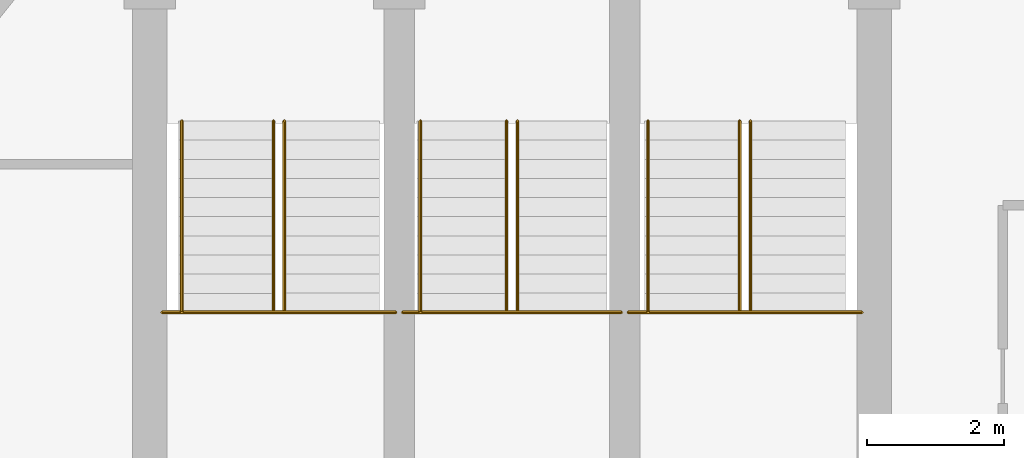
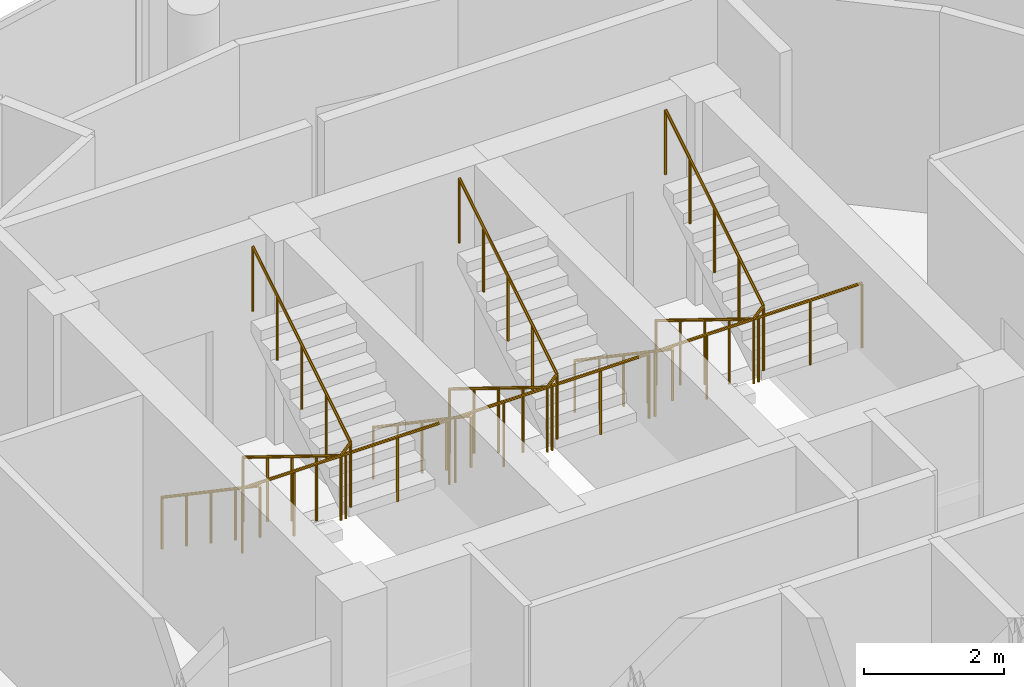
# One storey, part 24 of 24: 9 railings.
"""IFC4 building model written with IfcOpenShell, lengths in metres."""

from ifc_helpers import new_model, si_unit, direction, frame, origin, place, context, subcontext, project, spatial, polyline, outline, extrude, material, type_object, element, save


model = new_model("IFC4")

# Units and contexts
model_context = context("Model", 3, precision=1e-05, world=origin(), true_north=direction((0.0, 1.0)))
body_context = subcontext(model_context, "Body", "Model", "MODEL_VIEW")
ifc_project = project(units=[si_unit("LENGTHUNIT", "METRE"), si_unit("AREAUNIT", "SQUARE_METRE"), si_unit("VOLUMEUNIT", "CUBIC_METRE"), si_unit("PLANEANGLEUNIT", "RADIAN"), si_unit("MASSUNIT", "GRAM", prefix="KILO")], contexts=[model_context])

# Site, building, storey
site_placement = place(None, origin())
site = spatial("IfcSite", under=ifc_project, at=site_placement, CompositionType="ELEMENT")
building_placement = place(site_placement, origin())
building = spatial("IfcBuilding", under=site, at=building_placement, Name="Nuhasar Tower", CompositionType="ELEMENT")
storey_placement = place(building_placement, frame((0.0, 0.0, 282.199951171875)))
storey = spatial("IfcBuildingStorey", under=building, at=storey_placement, Name="L70", CompositionType="ELEMENT", Elevation=282.199951171875)

# Railings
ifc_material_1 = material(Name="Steel S355", Category="steel")
railing_type_1 = type_object("IfcRailingType", Name="RLG-STAIR-GUARD-1150", PredefinedType="GUARDRAIL", material=ifc_material_1)
railing_1_placement = place(storey_placement, frame((33.8798828125, 32.485107421875, 1.900146484375)))
element("IfcRailing", 1, at=railing_1_placement, inside=storey, type_object=railing_type_1, Name="L70 Stair ST-01 Guardrail LND", PredefinedType="GUARDRAIL", context=body_context, shape_type="SweptSolid", body=[
    extrude(outline(polyline([(0.024169921875, 0.0), (0.01708984375, 0.01708984375), (0.0, 0.024169921875), (-0.01708984375, 0.01708984375), (-0.024169921875, 0.0), (-0.01708984375, -0.01708984375), (0.0, -0.024169921875), (0.01708984375, -0.01708984375), (0.024169921875, 0.0)])), frame((0.0, 0.0, 1.1259765625), z_axis=(1.0, 0.0, 0.0), x_axis=(0.0, 1.0, 0.0)), (0.0, 0.0, 1.0), 3.420166015625),
    extrude(outline(polyline([(0.02099609375, 0.0), (0.014892578125, 0.014892578125), (0.0, 0.02099609375), (-0.014892578125, 0.014892578125), (-0.02099609375, 0.0), (-0.014892578125, -0.014892578125), (0.0, -0.02099609375), (0.014892578125, -0.014892578125), (0.02099609375, 0.0)])), origin(), (0.0, 0.0, 1.0), 1.101806640625),
    extrude(outline(polyline([(0.02099609375, 0.0), (0.014892578125, 0.014892578125), (0.0, 0.02099609375), (-0.014892578125, 0.014892578125), (-0.02099609375, 0.0), (-0.014892578125, -0.014892578125), (0.0, -0.02099609375), (0.014892578125, -0.014892578125), (0.02099609375, 0.0)])), frame((0.85498046875, 0.0, 0.0)), (0.0, 0.0, 1.0), 1.101806640625),
    extrude(outline(polyline([(0.02099609375, 0.0), (0.014892578125, 0.014892578125), (0.0, 0.02099609375), (-0.014892578125, 0.014892578125), (-0.02099609375, 0.0), (-0.014892578125, -0.014892578125), (0.0, -0.02099609375), (0.014892578125, -0.014892578125), (0.02099609375, 0.0)])), frame((1.7099609375, 0.0, 0.0)), (0.0, 0.0, 1.0), 1.101806640625),
    extrude(outline(polyline([(0.02099609375, 0.0), (0.014892578125, 0.014892578125), (0.0, 0.02099609375), (-0.014892578125, 0.014892578125), (-0.02099609375, 0.0), (-0.014892578125, -0.014892578125), (0.0, -0.02099609375), (0.014892578125, -0.014892578125), (0.02099609375, 0.0)])), frame((2.565185546875, 0.0, 0.0)), (0.0, 0.0, 1.0), 1.101806640625),
    extrude(outline(polyline([(0.02099609375, 0.0), (0.014892578125, 0.014892578125), (0.0, 0.02099609375), (-0.014892578125, 0.014892578125), (-0.02099609375, 0.0), (-0.014892578125, -0.014892578125), (0.0, -0.02099609375), (0.014892578125, -0.014892578125), (0.02099609375, 0.0)])), frame((3.420166015625, 0.0, 0.0)), (0.0, 0.0, 1.0), 1.101806640625),
])
railing_2_placement = place(storey_placement, frame((35.510009765625, 35.284912109375, 0.173095703125)))
element("IfcRailing", 2, at=railing_2_placement, inside=storey, type_object=railing_type_1, Name="L70 Stair ST-01 Guardrail SLT", PredefinedType="GUARDRAIL", context=body_context, shape_type="SweptSolid", body=[
    extrude(outline(polyline([(0.024169921875, 0.0), (0.01708984375, 0.01708984375), (0.0, 0.024169921875), (-0.01708984375, 0.01708984375), (-0.024169921875, 0.0), (-0.01708984375, -0.01708984375), (0.0, -0.024169921875), (0.01708984375, -0.01708984375), (0.024169921875, 0.0)])), frame((0.0, 0.0, 1.1259765625), z_axis=(0.0, -0.851102337555, 0.524999820009), x_axis=(1.0, 0.0, 0.0)), (0.0, 0.0, 1.0), 3.28955078125),
    extrude(outline(polyline([(0.024169921875, 0.0), (0.01708984375, 0.01708984375), (0.0, 0.024169921875), (-0.01708984375, 0.01708984375), (-0.024169921875, 0.0), (-0.01708984375, -0.01708984375), (0.0, -0.024169921875), (0.01708984375, -0.01708984375), (0.024169921875, 0.0)])), frame((0.0, -2.7998046875, 2.85302734375), z_axis=(0.679097852503, 0.0, 0.734047755072), x_axis=(0.0, 1.0, 0.0)), (0.0, 0.0, 1.0), 0.235595703125),
    extrude(outline(polyline([(0.024169921875, 0.0), (0.01708984375, 0.01708984375), (0.0, 0.024169921875), (-0.01708984375, 0.01708984375), (-0.024169921875, 0.0), (-0.01708984375, -0.01708984375), (0.0, -0.024169921875), (0.01708984375, -0.01708984375), (0.024169921875, 0.0)])), frame((0.159912109375, -2.7998046875, 3.02587890625), z_axis=(0.0, 0.851102337555, 0.524999820009), x_axis=(-1.0, 0.0, 0.0)), (0.0, 0.0, 1.0), 3.28955078125),
    extrude(outline(polyline([(0.02099609375, 0.0), (0.014892578125, 0.014892578125), (0.0, 0.02099609375), (-0.014892578125, 0.014892578125), (-0.02099609375, 0.0), (-0.014892578125, -0.014892578125), (0.0, -0.02099609375), (0.014892578125, -0.014892578125), (0.02099609375, 0.0)])), origin(), (0.0, 0.0, 1.0), 1.101806640625),
    extrude(outline(polyline([(0.02099609375, 0.0), (0.014892578125, 0.014892578125), (0.0, 0.02099609375), (-0.014892578125, 0.014892578125), (-0.02099609375, 0.0), (-0.014892578125, -0.014892578125), (0.0, -0.02099609375), (0.014892578125, -0.014892578125), (0.02099609375, 0.0)])), frame((0.0, -0.699951171875, 0.431640625)), (0.0, 0.0, 1.0), 1.101806640625),
    extrude(outline(polyline([(0.02099609375, 0.0), (0.014892578125, 0.014892578125), (0.0, 0.02099609375), (-0.014892578125, 0.014892578125), (-0.02099609375, 0.0), (-0.014892578125, -0.014892578125), (0.0, -0.02099609375), (0.014892578125, -0.014892578125), (0.02099609375, 0.0)])), frame((0.0, -1.39990234375, 0.863525390625)), (0.0, 0.0, 1.0), 1.101806640625),
    extrude(outline(polyline([(0.02099609375, 0.0), (0.014892578125, 0.014892578125), (0.0, 0.02099609375), (-0.014892578125, 0.014892578125), (-0.02099609375, 0.0), (-0.014892578125, -0.014892578125), (0.0, -0.02099609375), (0.014892578125, -0.014892578125), (0.02099609375, 0.0)])), frame((0.0, -2.099853515625, 1.29541015625)), (0.0, 0.0, 1.0), 1.101806640625),
    extrude(outline(polyline([(0.02099609375, 0.0), (0.014892578125, 0.014892578125), (0.0, 0.02099609375), (-0.014892578125, 0.014892578125), (-0.02099609375, 0.0), (-0.014892578125, -0.014892578125), (0.0, -0.02099609375), (0.014892578125, -0.014892578125), (0.02099609375, 0.0)])), frame((0.0, -2.7998046875, 1.72705078125)), (0.0, 0.0, 1.0), 1.101806640625),
    extrude(outline(polyline([(0.02099609375, 0.0), (0.014892578125, 0.014892578125), (0.0, 0.02099609375), (-0.014892578125, 0.014892578125), (-0.02099609375, 0.0), (-0.014892578125, -0.014892578125), (0.0, -0.02099609375), (0.014892578125, -0.014892578125), (0.02099609375, 0.0)])), frame((0.159912109375, -2.7998046875, 1.89990234375)), (0.0, 0.0, 1.0), 1.101806640625),
    extrude(outline(polyline([(0.02099609375, 0.0), (0.014892578125, 0.014892578125), (0.0, 0.02099609375), (-0.014892578125, 0.014892578125), (-0.02099609375, 0.0), (-0.014892578125, -0.014892578125), (0.0, -0.02099609375), (0.014892578125, -0.014892578125), (0.02099609375, 0.0)])), frame((0.159912109375, -2.099853515625, 2.33154296875)), (0.0, 0.0, 1.0), 1.101806640625),
    extrude(outline(polyline([(0.02099609375, 0.0), (0.014892578125, 0.014892578125), (0.0, 0.02099609375), (-0.014892578125, 0.014892578125), (-0.02099609375, 0.0), (-0.014892578125, -0.014892578125), (0.0, -0.02099609375), (0.014892578125, -0.014892578125), (0.02099609375, 0.0)])), frame((0.159912109375, -1.39990234375, 2.763427734375)), (0.0, 0.0, 1.0), 1.101806640625),
    extrude(outline(polyline([(0.02099609375, 0.0), (0.014892578125, 0.014892578125), (0.0, 0.02099609375), (-0.014892578125, 0.014892578125), (-0.02099609375, 0.0), (-0.014892578125, -0.014892578125), (0.0, -0.02099609375), (0.014892578125, -0.014892578125), (0.02099609375, 0.0)])), frame((0.159912109375, -0.699951171875, 3.1953125)), (0.0, 0.0, 1.0), 1.101806640625),
    extrude(outline(polyline([(0.02099609375, 0.0), (0.014892578125, 0.014892578125), (0.0, 0.02099609375), (-0.014892578125, 0.014892578125), (-0.02099609375, 0.0), (-0.014892578125, -0.014892578125), (0.0, -0.02099609375), (0.014892578125, -0.014892578125), (0.02099609375, 0.0)])), frame((0.159912109375, 0.0, 3.626953125)), (0.0, 0.0, 1.0), 1.101806640625),
])
railing_3_placement = place(storey_placement, frame((37.39990234375, 32.485107421875, 1.900146484375)))
element("IfcRailing", 3, at=railing_3_placement, inside=storey, type_object=railing_type_1, Name="L70 Stair ST-03 Guardrail LND", PredefinedType="GUARDRAIL", context=body_context, shape_type="SweptSolid", body=[
    extrude(outline(polyline([(0.024169921875, 0.0), (0.01708984375, 0.01708984375), (0.0, 0.024169921875), (-0.01708984375, 0.01708984375), (-0.024169921875, 0.0), (-0.01708984375, -0.01708984375), (0.0, -0.024169921875), (0.01708984375, -0.01708984375), (0.024169921875, 0.0)])), frame((0.0, 0.0, 1.1259765625), z_axis=(1.0, 0.0, 0.0), x_axis=(0.0, 1.0, 0.0)), (0.0, 0.0, 1.0), 3.2001953125),
    extrude(outline(polyline([(0.02099609375, 0.0), (0.014892578125, 0.014892578125), (0.0, 0.02099609375), (-0.014892578125, 0.014892578125), (-0.02099609375, 0.0), (-0.014892578125, -0.014892578125), (0.0, -0.02099609375), (0.014892578125, -0.014892578125), (0.02099609375, 0.0)])), origin(), (0.0, 0.0, 1.0), 1.101806640625),
    extrude(outline(polyline([(0.02099609375, 0.0), (0.014892578125, 0.014892578125), (0.0, 0.02099609375), (-0.014892578125, 0.014892578125), (-0.02099609375, 0.0), (-0.014892578125, -0.014892578125), (0.0, -0.02099609375), (0.014892578125, -0.014892578125), (0.02099609375, 0.0)])), frame((0.800048828125, 0.0, 0.0)), (0.0, 0.0, 1.0), 1.101806640625),
    extrude(outline(polyline([(0.02099609375, 0.0), (0.014892578125, 0.014892578125), (0.0, 0.02099609375), (-0.014892578125, 0.014892578125), (-0.02099609375, 0.0), (-0.014892578125, -0.014892578125), (0.0, -0.02099609375), (0.014892578125, -0.014892578125), (0.02099609375, 0.0)])), frame((1.60009765625, 0.0, 0.0)), (0.0, 0.0, 1.0), 1.101806640625),
    extrude(outline(polyline([(0.02099609375, 0.0), (0.014892578125, 0.014892578125), (0.0, 0.02099609375), (-0.014892578125, 0.014892578125), (-0.02099609375, 0.0), (-0.014892578125, -0.014892578125), (0.0, -0.02099609375), (0.014892578125, -0.014892578125), (0.02099609375, 0.0)])), frame((2.400146484375, 0.0, 0.0)), (0.0, 0.0, 1.0), 1.101806640625),
    extrude(outline(polyline([(0.02099609375, 0.0), (0.014892578125, 0.014892578125), (0.0, 0.02099609375), (-0.014892578125, 0.014892578125), (-0.02099609375, 0.0), (-0.014892578125, -0.014892578125), (0.0, -0.02099609375), (0.014892578125, -0.014892578125), (0.02099609375, 0.0)])), frame((3.2001953125, 0.0, 0.0)), (0.0, 0.0, 1.0), 1.101806640625),
])
railing_4_placement = place(storey_placement, frame((38.919921875, 35.284912109375, 0.173095703125)))
element("IfcRailing", 4, at=railing_4_placement, inside=storey, type_object=railing_type_1, Name="L70 Stair ST-03 Guardrail SLT", PredefinedType="GUARDRAIL", context=body_context, shape_type="SweptSolid", body=[
    extrude(outline(polyline([(0.024169921875, 0.0), (0.01708984375, 0.01708984375), (0.0, 0.024169921875), (-0.01708984375, 0.01708984375), (-0.024169921875, 0.0), (-0.01708984375, -0.01708984375), (0.0, -0.024169921875), (0.01708984375, -0.01708984375), (0.024169921875, 0.0)])), frame((0.0, 0.0, 1.1259765625), z_axis=(0.0, -0.851102337555, 0.524999820009), x_axis=(1.0, 0.0, 0.0)), (0.0, 0.0, 1.0), 3.28955078125),
    extrude(outline(polyline([(0.024169921875, 0.0), (0.01708984375, 0.01708984375), (0.0, 0.024169921875), (-0.01708984375, 0.01708984375), (-0.024169921875, 0.0), (-0.01708984375, -0.01708984375), (0.0, -0.024169921875), (0.01708984375, -0.01708984375), (0.024169921875, 0.0)])), frame((0.0, -2.7998046875, 2.85302734375), z_axis=(0.679655912742, 0.0, 0.733531076557), x_axis=(0.0, 1.0, 0.0)), (0.0, 0.0, 1.0), 0.235595703125),
    extrude(outline(polyline([(0.024169921875, 0.0), (0.01708984375, 0.01708984375), (0.0, 0.024169921875), (-0.01708984375, 0.01708984375), (-0.024169921875, 0.0), (-0.01708984375, -0.01708984375), (0.0, -0.024169921875), (0.01708984375, -0.01708984375), (0.024169921875, 0.0)])), frame((0.16015625, -2.7998046875, 3.02587890625), z_axis=(0.0, 0.851102337555, 0.524999820009), x_axis=(-1.0, 0.0, 0.0)), (0.0, 0.0, 1.0), 3.28955078125),
    extrude(outline(polyline([(0.02099609375, 0.0), (0.014892578125, 0.014892578125), (0.0, 0.02099609375), (-0.014892578125, 0.014892578125), (-0.02099609375, 0.0), (-0.014892578125, -0.014892578125), (0.0, -0.02099609375), (0.014892578125, -0.014892578125), (0.02099609375, 0.0)])), origin(), (0.0, 0.0, 1.0), 1.101806640625),
    extrude(outline(polyline([(0.02099609375, 0.0), (0.014892578125, 0.014892578125), (0.0, 0.02099609375), (-0.014892578125, 0.014892578125), (-0.02099609375, 0.0), (-0.014892578125, -0.014892578125), (0.0, -0.02099609375), (0.014892578125, -0.014892578125), (0.02099609375, 0.0)])), frame((0.0, -0.699951171875, 0.431640625)), (0.0, 0.0, 1.0), 1.101806640625),
    extrude(outline(polyline([(0.02099609375, 0.0), (0.014892578125, 0.014892578125), (0.0, 0.02099609375), (-0.014892578125, 0.014892578125), (-0.02099609375, 0.0), (-0.014892578125, -0.014892578125), (0.0, -0.02099609375), (0.014892578125, -0.014892578125), (0.02099609375, 0.0)])), frame((0.0, -1.39990234375, 0.863525390625)), (0.0, 0.0, 1.0), 1.101806640625),
    extrude(outline(polyline([(0.02099609375, 0.0), (0.014892578125, 0.014892578125), (0.0, 0.02099609375), (-0.014892578125, 0.014892578125), (-0.02099609375, 0.0), (-0.014892578125, -0.014892578125), (0.0, -0.02099609375), (0.014892578125, -0.014892578125), (0.02099609375, 0.0)])), frame((0.0, -2.099853515625, 1.29541015625)), (0.0, 0.0, 1.0), 1.101806640625),
    extrude(outline(polyline([(0.02099609375, 0.0), (0.014892578125, 0.014892578125), (0.0, 0.02099609375), (-0.014892578125, 0.014892578125), (-0.02099609375, 0.0), (-0.014892578125, -0.014892578125), (0.0, -0.02099609375), (0.014892578125, -0.014892578125), (0.02099609375, 0.0)])), frame((0.0, -2.7998046875, 1.72705078125)), (0.0, 0.0, 1.0), 1.101806640625),
    extrude(outline(polyline([(0.02099609375, 0.0), (0.014892578125, 0.014892578125), (0.0, 0.02099609375), (-0.014892578125, 0.014892578125), (-0.02099609375, 0.0), (-0.014892578125, -0.014892578125), (0.0, -0.02099609375), (0.014892578125, -0.014892578125), (0.02099609375, 0.0)])), frame((0.16015625, -2.7998046875, 1.89990234375)), (0.0, 0.0, 1.0), 1.101806640625),
    extrude(outline(polyline([(0.02099609375, 0.0), (0.014892578125, 0.014892578125), (0.0, 0.02099609375), (-0.014892578125, 0.014892578125), (-0.02099609375, 0.0), (-0.014892578125, -0.014892578125), (0.0, -0.02099609375), (0.014892578125, -0.014892578125), (0.02099609375, 0.0)])), frame((0.16015625, -2.099853515625, 2.33154296875)), (0.0, 0.0, 1.0), 1.101806640625),
    extrude(outline(polyline([(0.02099609375, 0.0), (0.014892578125, 0.014892578125), (0.0, 0.02099609375), (-0.014892578125, 0.014892578125), (-0.02099609375, 0.0), (-0.014892578125, -0.014892578125), (0.0, -0.02099609375), (0.014892578125, -0.014892578125), (0.02099609375, 0.0)])), frame((0.16015625, -1.39990234375, 2.763427734375)), (0.0, 0.0, 1.0), 1.101806640625),
    extrude(outline(polyline([(0.02099609375, 0.0), (0.014892578125, 0.014892578125), (0.0, 0.02099609375), (-0.014892578125, 0.014892578125), (-0.02099609375, 0.0), (-0.014892578125, -0.014892578125), (0.0, -0.02099609375), (0.014892578125, -0.014892578125), (0.02099609375, 0.0)])), frame((0.16015625, -0.699951171875, 3.1953125)), (0.0, 0.0, 1.0), 1.101806640625),
    extrude(outline(polyline([(0.02099609375, 0.0), (0.014892578125, 0.014892578125), (0.0, 0.02099609375), (-0.014892578125, 0.014892578125), (-0.02099609375, 0.0), (-0.014892578125, -0.014892578125), (0.0, -0.02099609375), (0.014892578125, -0.014892578125), (0.02099609375, 0.0)])), frame((0.16015625, 0.0, 3.626953125)), (0.0, 0.0, 1.0), 1.101806640625),
])
railing_5_placement = place(storey_placement, frame((40.699951171875, 32.485107421875, 1.900146484375)))
element("IfcRailing", 5, at=railing_5_placement, inside=storey, type_object=railing_type_1, Name="L70 Stair ST-02 Guardrail LND", PredefinedType="GUARDRAIL", context=body_context, shape_type="SweptSolid", body=[
    extrude(outline(polyline([(0.024169921875, 0.0), (0.01708984375, 0.01708984375), (0.0, 0.024169921875), (-0.01708984375, 0.01708984375), (-0.024169921875, 0.0), (-0.01708984375, -0.01708984375), (0.0, -0.024169921875), (0.01708984375, -0.01708984375), (0.024169921875, 0.0)])), frame((0.0, 0.0, 1.1259765625), z_axis=(1.0, 0.0, 0.0), x_axis=(0.0, 1.0, 0.0)), (0.0, 0.0, 1.0), 3.420166015625),
    extrude(outline(polyline([(0.02099609375, 0.0), (0.014892578125, 0.014892578125), (0.0, 0.02099609375), (-0.014892578125, 0.014892578125), (-0.02099609375, 0.0), (-0.014892578125, -0.014892578125), (0.0, -0.02099609375), (0.014892578125, -0.014892578125), (0.02099609375, 0.0)])), origin(), (0.0, 0.0, 1.0), 1.101806640625),
    extrude(outline(polyline([(0.02099609375, 0.0), (0.014892578125, 0.014892578125), (0.0, 0.02099609375), (-0.014892578125, 0.014892578125), (-0.02099609375, 0.0), (-0.014892578125, -0.014892578125), (0.0, -0.02099609375), (0.014892578125, -0.014892578125), (0.02099609375, 0.0)])), frame((0.85498046875, 0.0, 0.0)), (0.0, 0.0, 1.0), 1.101806640625),
    extrude(outline(polyline([(0.02099609375, 0.0), (0.014892578125, 0.014892578125), (0.0, 0.02099609375), (-0.014892578125, 0.014892578125), (-0.02099609375, 0.0), (-0.014892578125, -0.014892578125), (0.0, -0.02099609375), (0.014892578125, -0.014892578125), (0.02099609375, 0.0)])), frame((1.7099609375, 0.0, 0.0)), (0.0, 0.0, 1.0), 1.101806640625),
    extrude(outline(polyline([(0.02099609375, 0.0), (0.014892578125, 0.014892578125), (0.0, 0.02099609375), (-0.014892578125, 0.014892578125), (-0.02099609375, 0.0), (-0.014892578125, -0.014892578125), (0.0, -0.02099609375), (0.014892578125, -0.014892578125), (0.02099609375, 0.0)])), frame((2.565185546875, 0.0, 0.0)), (0.0, 0.0, 1.0), 1.101806640625),
    extrude(outline(polyline([(0.02099609375, 0.0), (0.014892578125, 0.014892578125), (0.0, 0.02099609375), (-0.014892578125, 0.014892578125), (-0.02099609375, 0.0), (-0.014892578125, -0.014892578125), (0.0, -0.02099609375), (0.014892578125, -0.014892578125), (0.02099609375, 0.0)])), frame((3.420166015625, 0.0, 0.0)), (0.0, 0.0, 1.0), 1.101806640625),
])
railing_6_placement = place(storey_placement, frame((42.330078125, 35.284912109375, 0.173095703125)))
element("IfcRailing", 6, at=railing_6_placement, inside=storey, type_object=railing_type_1, Name="L70 Stair ST-02 Guardrail SLT", PredefinedType="GUARDRAIL", context=body_context, shape_type="SweptSolid", body=[
    extrude(outline(polyline([(0.024169921875, 0.0), (0.01708984375, 0.01708984375), (0.0, 0.024169921875), (-0.01708984375, 0.01708984375), (-0.024169921875, 0.0), (-0.01708984375, -0.01708984375), (0.0, -0.024169921875), (0.01708984375, -0.01708984375), (0.024169921875, 0.0)])), frame((0.0, 0.0, 1.1259765625), z_axis=(0.0, -0.851102337555, 0.524999820009), x_axis=(1.0, 0.0, 0.0)), (0.0, 0.0, 1.0), 3.28955078125),
    extrude(outline(polyline([(0.024169921875, 0.0), (0.01708984375, 0.01708984375), (0.0, 0.024169921875), (-0.01708984375, 0.01708984375), (-0.024169921875, 0.0), (-0.01708984375, -0.01708984375), (0.0, -0.024169921875), (0.01708984375, -0.01708984375), (0.024169921875, 0.0)])), frame((0.0, -2.7998046875, 2.85302734375), z_axis=(0.679097852503, 0.0, 0.734047755072), x_axis=(0.0, 1.0, 0.0)), (0.0, 0.0, 1.0), 0.235595703125),
    extrude(outline(polyline([(0.024169921875, 0.0), (0.01708984375, 0.01708984375), (0.0, 0.024169921875), (-0.01708984375, 0.01708984375), (-0.024169921875, 0.0), (-0.01708984375, -0.01708984375), (0.0, -0.024169921875), (0.01708984375, -0.01708984375), (0.024169921875, 0.0)])), frame((0.159912109375, -2.7998046875, 3.02587890625), z_axis=(0.0, 0.851102337555, 0.524999820009), x_axis=(-1.0, 0.0, 0.0)), (0.0, 0.0, 1.0), 3.28955078125),
    extrude(outline(polyline([(0.02099609375, 0.0), (0.014892578125, 0.014892578125), (0.0, 0.02099609375), (-0.014892578125, 0.014892578125), (-0.02099609375, 0.0), (-0.014892578125, -0.014892578125), (0.0, -0.02099609375), (0.014892578125, -0.014892578125), (0.02099609375, 0.0)])), origin(), (0.0, 0.0, 1.0), 1.101806640625),
    extrude(outline(polyline([(0.02099609375, 0.0), (0.014892578125, 0.014892578125), (0.0, 0.02099609375), (-0.014892578125, 0.014892578125), (-0.02099609375, 0.0), (-0.014892578125, -0.014892578125), (0.0, -0.02099609375), (0.014892578125, -0.014892578125), (0.02099609375, 0.0)])), frame((0.0, -0.699951171875, 0.431640625)), (0.0, 0.0, 1.0), 1.101806640625),
    extrude(outline(polyline([(0.02099609375, 0.0), (0.014892578125, 0.014892578125), (0.0, 0.02099609375), (-0.014892578125, 0.014892578125), (-0.02099609375, 0.0), (-0.014892578125, -0.014892578125), (0.0, -0.02099609375), (0.014892578125, -0.014892578125), (0.02099609375, 0.0)])), frame((0.0, -1.39990234375, 0.863525390625)), (0.0, 0.0, 1.0), 1.101806640625),
    extrude(outline(polyline([(0.02099609375, 0.0), (0.014892578125, 0.014892578125), (0.0, 0.02099609375), (-0.014892578125, 0.014892578125), (-0.02099609375, 0.0), (-0.014892578125, -0.014892578125), (0.0, -0.02099609375), (0.014892578125, -0.014892578125), (0.02099609375, 0.0)])), frame((0.0, -2.099853515625, 1.29541015625)), (0.0, 0.0, 1.0), 1.101806640625),
    extrude(outline(polyline([(0.02099609375, 0.0), (0.014892578125, 0.014892578125), (0.0, 0.02099609375), (-0.014892578125, 0.014892578125), (-0.02099609375, 0.0), (-0.014892578125, -0.014892578125), (0.0, -0.02099609375), (0.014892578125, -0.014892578125), (0.02099609375, 0.0)])), frame((0.0, -2.7998046875, 1.72705078125)), (0.0, 0.0, 1.0), 1.101806640625),
    extrude(outline(polyline([(0.02099609375, 0.0), (0.014892578125, 0.014892578125), (0.0, 0.02099609375), (-0.014892578125, 0.014892578125), (-0.02099609375, 0.0), (-0.014892578125, -0.014892578125), (0.0, -0.02099609375), (0.014892578125, -0.014892578125), (0.02099609375, 0.0)])), frame((0.159912109375, -2.7998046875, 1.89990234375)), (0.0, 0.0, 1.0), 1.101806640625),
    extrude(outline(polyline([(0.02099609375, 0.0), (0.014892578125, 0.014892578125), (0.0, 0.02099609375), (-0.014892578125, 0.014892578125), (-0.02099609375, 0.0), (-0.014892578125, -0.014892578125), (0.0, -0.02099609375), (0.014892578125, -0.014892578125), (0.02099609375, 0.0)])), frame((0.159912109375, -2.099853515625, 2.33154296875)), (0.0, 0.0, 1.0), 1.101806640625),
    extrude(outline(polyline([(0.02099609375, 0.0), (0.014892578125, 0.014892578125), (0.0, 0.02099609375), (-0.014892578125, 0.014892578125), (-0.02099609375, 0.0), (-0.014892578125, -0.014892578125), (0.0, -0.02099609375), (0.014892578125, -0.014892578125), (0.02099609375, 0.0)])), frame((0.159912109375, -1.39990234375, 2.763427734375)), (0.0, 0.0, 1.0), 1.101806640625),
    extrude(outline(polyline([(0.02099609375, 0.0), (0.014892578125, 0.014892578125), (0.0, 0.02099609375), (-0.014892578125, 0.014892578125), (-0.02099609375, 0.0), (-0.014892578125, -0.014892578125), (0.0, -0.02099609375), (0.014892578125, -0.014892578125), (0.02099609375, 0.0)])), frame((0.159912109375, -0.699951171875, 3.1953125)), (0.0, 0.0, 1.0), 1.101806640625),
    extrude(outline(polyline([(0.02099609375, 0.0), (0.014892578125, 0.014892578125), (0.0, 0.02099609375), (-0.014892578125, 0.014892578125), (-0.02099609375, 0.0), (-0.014892578125, -0.014892578125), (0.0, -0.02099609375), (0.014892578125, -0.014892578125), (0.02099609375, 0.0)])), frame((0.159912109375, 0.0, 3.626953125)), (0.0, 0.0, 1.0), 1.101806640625),
])
ifc_material_2 = material(Name="Stainless Steel 316L", Category="steel")
railing_type_2 = type_object("IfcRailingType", Name="RLG-STAIR-HAND-920", PredefinedType="HANDRAIL", material=ifc_material_2)
railing_7_placement = place(storey_placement, frame((34.169921875, 35.284912109375, 0.173095703125)))
element("IfcRailing", 7, at=railing_7_placement, inside=storey, type_object=railing_type_2, Name="L70 Stair ST-01 Handrail HND1", PredefinedType="HANDRAIL", context=body_context, shape_type="SweptSolid", body=[
    extrude(outline(polyline([(0.024169921875, 0.0), (0.01708984375, 0.01708984375), (0.0, 0.024169921875), (-0.01708984375, 0.01708984375), (-0.024169921875, 0.0), (-0.01708984375, -0.01708984375), (0.0, -0.024169921875), (0.01708984375, -0.01708984375), (0.024169921875, 0.0)])), frame((0.0, 0.0, 0.89599609375), z_axis=(0.0, -0.827470985049, 0.561508476251), x_axis=(1.0, 0.0, 0.0)), (0.0, 0.0, 1.0), 3.383544921875),
    extrude(outline(polyline([(0.02099609375, 0.0), (0.014892578125, 0.014892578125), (0.0, 0.02099609375), (-0.014892578125, 0.014892578125), (-0.02099609375, 0.0), (-0.014892578125, -0.014892578125), (0.0, -0.02099609375), (0.014892578125, -0.014892578125), (0.02099609375, 0.0)])), origin(), (0.0, 0.0, 1.0), 0.871826171875),
    extrude(outline(polyline([(0.02099609375, 0.0), (0.014892578125, 0.014892578125), (0.0, 0.02099609375), (-0.014892578125, 0.014892578125), (-0.02099609375, 0.0), (-0.014892578125, -0.014892578125), (0.0, -0.02099609375), (0.014892578125, -0.014892578125), (0.02099609375, 0.0)])), frame((0.0, -0.699951171875, 0.47509765625)), (0.0, 0.0, 1.0), 0.871826171875),
    extrude(outline(polyline([(0.02099609375, 0.0), (0.014892578125, 0.014892578125), (0.0, 0.02099609375), (-0.014892578125, 0.014892578125), (-0.02099609375, 0.0), (-0.014892578125, -0.014892578125), (0.0, -0.02099609375), (0.014892578125, -0.014892578125), (0.02099609375, 0.0)])), frame((0.0, -1.39990234375, 0.949951171875)), (0.0, 0.0, 1.0), 0.871826171875),
    extrude(outline(polyline([(0.02099609375, 0.0), (0.014892578125, 0.014892578125), (0.0, 0.02099609375), (-0.014892578125, 0.014892578125), (-0.02099609375, 0.0), (-0.014892578125, -0.014892578125), (0.0, -0.02099609375), (0.014892578125, -0.014892578125), (0.02099609375, 0.0)])), frame((0.0, -2.099853515625, 1.4248046875)), (0.0, 0.0, 1.0), 0.871826171875),
    extrude(outline(polyline([(0.02099609375, 0.0), (0.014892578125, 0.014892578125), (0.0, 0.02099609375), (-0.014892578125, 0.014892578125), (-0.02099609375, 0.0), (-0.014892578125, -0.014892578125), (0.0, -0.02099609375), (0.014892578125, -0.014892578125), (0.02099609375, 0.0)])), frame((0.0, -2.7998046875, 1.89990234375)), (0.0, 0.0, 1.0), 0.871826171875),
])
railing_8_placement = place(storey_placement, frame((37.659912109375, 35.284912109375, 0.173095703125)))
element("IfcRailing", 8, at=railing_8_placement, inside=storey, type_object=railing_type_2, Name="L70 Stair ST-03 Handrail HND1", PredefinedType="HANDRAIL", context=body_context, shape_type="SweptSolid", body=[
    extrude(outline(polyline([(0.024169921875, 0.0), (0.01708984375, 0.01708984375), (0.0, 0.024169921875), (-0.01708984375, 0.01708984375), (-0.024169921875, 0.0), (-0.01708984375, -0.01708984375), (0.0, -0.024169921875), (0.01708984375, -0.01708984375), (0.024169921875, 0.0)])), frame((0.0, 0.0, 0.89599609375), z_axis=(0.0, -0.827470985049, 0.561508476251), x_axis=(1.0, 0.0, 0.0)), (0.0, 0.0, 1.0), 3.383544921875),
    extrude(outline(polyline([(0.02099609375, 0.0), (0.014892578125, 0.014892578125), (0.0, 0.02099609375), (-0.014892578125, 0.014892578125), (-0.02099609375, 0.0), (-0.014892578125, -0.014892578125), (0.0, -0.02099609375), (0.014892578125, -0.014892578125), (0.02099609375, 0.0)])), origin(), (0.0, 0.0, 1.0), 0.871826171875),
    extrude(outline(polyline([(0.02099609375, 0.0), (0.014892578125, 0.014892578125), (0.0, 0.02099609375), (-0.014892578125, 0.014892578125), (-0.02099609375, 0.0), (-0.014892578125, -0.014892578125), (0.0, -0.02099609375), (0.014892578125, -0.014892578125), (0.02099609375, 0.0)])), frame((0.0, -0.699951171875, 0.47509765625)), (0.0, 0.0, 1.0), 0.871826171875),
    extrude(outline(polyline([(0.02099609375, 0.0), (0.014892578125, 0.014892578125), (0.0, 0.02099609375), (-0.014892578125, 0.014892578125), (-0.02099609375, 0.0), (-0.014892578125, -0.014892578125), (0.0, -0.02099609375), (0.014892578125, -0.014892578125), (0.02099609375, 0.0)])), frame((0.0, -1.39990234375, 0.949951171875)), (0.0, 0.0, 1.0), 0.871826171875),
    extrude(outline(polyline([(0.02099609375, 0.0), (0.014892578125, 0.014892578125), (0.0, 0.02099609375), (-0.014892578125, 0.014892578125), (-0.02099609375, 0.0), (-0.014892578125, -0.014892578125), (0.0, -0.02099609375), (0.014892578125, -0.014892578125), (0.02099609375, 0.0)])), frame((0.0, -2.099853515625, 1.4248046875)), (0.0, 0.0, 1.0), 0.871826171875),
    extrude(outline(polyline([(0.02099609375, 0.0), (0.014892578125, 0.014892578125), (0.0, 0.02099609375), (-0.014892578125, 0.014892578125), (-0.02099609375, 0.0), (-0.014892578125, -0.014892578125), (0.0, -0.02099609375), (0.014892578125, -0.014892578125), (0.02099609375, 0.0)])), frame((0.0, -2.7998046875, 1.89990234375)), (0.0, 0.0, 1.0), 0.871826171875),
])
railing_9_placement = place(storey_placement, frame((40.989990234375, 35.284912109375, 0.173095703125)))
element("IfcRailing", 9, at=railing_9_placement, inside=storey, type_object=railing_type_2, Name="L70 Stair ST-02 Handrail HND1", PredefinedType="HANDRAIL", context=body_context, shape_type="SweptSolid", body=[
    extrude(outline(polyline([(0.024169921875, 0.0), (0.01708984375, 0.01708984375), (0.0, 0.024169921875), (-0.01708984375, 0.01708984375), (-0.024169921875, 0.0), (-0.01708984375, -0.01708984375), (0.0, -0.024169921875), (0.01708984375, -0.01708984375), (0.024169921875, 0.0)])), frame((0.0, 0.0, 0.89599609375), z_axis=(0.0, -0.827470985049, 0.561508476251), x_axis=(1.0, 0.0, 0.0)), (0.0, 0.0, 1.0), 3.383544921875),
    extrude(outline(polyline([(0.02099609375, 0.0), (0.014892578125, 0.014892578125), (0.0, 0.02099609375), (-0.014892578125, 0.014892578125), (-0.02099609375, 0.0), (-0.014892578125, -0.014892578125), (0.0, -0.02099609375), (0.014892578125, -0.014892578125), (0.02099609375, 0.0)])), origin(), (0.0, 0.0, 1.0), 0.871826171875),
    extrude(outline(polyline([(0.02099609375, 0.0), (0.014892578125, 0.014892578125), (0.0, 0.02099609375), (-0.014892578125, 0.014892578125), (-0.02099609375, 0.0), (-0.014892578125, -0.014892578125), (0.0, -0.02099609375), (0.014892578125, -0.014892578125), (0.02099609375, 0.0)])), frame((0.0, -0.699951171875, 0.47509765625)), (0.0, 0.0, 1.0), 0.871826171875),
    extrude(outline(polyline([(0.02099609375, 0.0), (0.014892578125, 0.014892578125), (0.0, 0.02099609375), (-0.014892578125, 0.014892578125), (-0.02099609375, 0.0), (-0.014892578125, -0.014892578125), (0.0, -0.02099609375), (0.014892578125, -0.014892578125), (0.02099609375, 0.0)])), frame((0.0, -1.39990234375, 0.949951171875)), (0.0, 0.0, 1.0), 0.871826171875),
    extrude(outline(polyline([(0.02099609375, 0.0), (0.014892578125, 0.014892578125), (0.0, 0.02099609375), (-0.014892578125, 0.014892578125), (-0.02099609375, 0.0), (-0.014892578125, -0.014892578125), (0.0, -0.02099609375), (0.014892578125, -0.014892578125), (0.02099609375, 0.0)])), frame((0.0, -2.099853515625, 1.4248046875)), (0.0, 0.0, 1.0), 0.871826171875),
    extrude(outline(polyline([(0.02099609375, 0.0), (0.014892578125, 0.014892578125), (0.0, 0.02099609375), (-0.014892578125, 0.014892578125), (-0.02099609375, 0.0), (-0.014892578125, -0.014892578125), (0.0, -0.02099609375), (0.014892578125, -0.014892578125), (0.02099609375, 0.0)])), frame((0.0, -2.7998046875, 1.89990234375)), (0.0, 0.0, 1.0), 0.871826171875),
])

save(model, "model.ifc")
